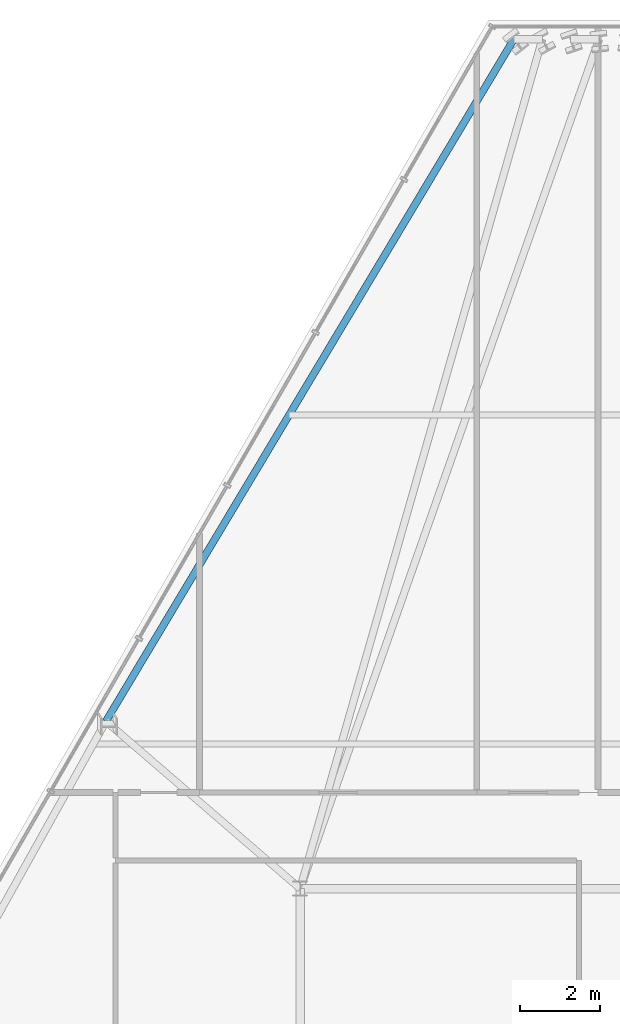
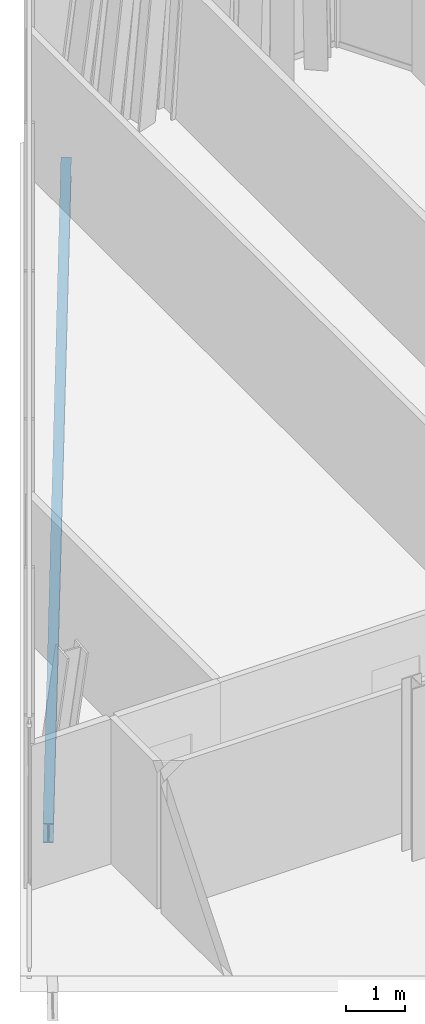
# One storey, part 14 of 32: 1 beam.
"""IFC4 building model written with IfcOpenShell, lengths in metres."""

from ifc_helpers import new_model, si_unit, direction, frame, origin, origin_2d, place, context, subcontext, project, spatial, i_section, extrude, material, material_profile, profile_set, type_object, element, save


model = new_model("IFC4")

# Units and contexts
model_context = context("Model", 3, precision=1e-05, world=origin(), true_north=direction((0.0, 1.0)))
body_context = subcontext(model_context, "Body", "Model", "MODEL_VIEW")
ifc_project = project(units=[si_unit("LENGTHUNIT", "METRE"), si_unit("AREAUNIT", "SQUARE_METRE"), si_unit("VOLUMEUNIT", "CUBIC_METRE"), si_unit("PLANEANGLEUNIT", "RADIAN"), si_unit("MASSUNIT", "GRAM", prefix="KILO")], contexts=[model_context])

# Site, building, storey
site_placement = place(None, origin())
site = spatial("IfcSite", under=ifc_project, at=site_placement, CompositionType="ELEMENT")
building_placement = place(site_placement, origin())
building = spatial("IfcBuilding", under=site, at=building_placement, Name="Ndaravel Arena Tower", CompositionType="ELEMENT")
storey_placement = place(building_placement, frame((0.0, 0.0, 259.800048828125)))
storey = spatial("IfcBuildingStorey", under=building, at=storey_placement, Name="L63", CompositionType="ELEMENT", Elevation=259.800048828125)

# Beam
ifc_material = material(Name="Steel S355", Category="steel")
ifc_material_profile = material_profile(ifc_material, i_section(OverallWidth=0.179931640625, OverallDepth=0.39990234375, WebThickness=0.008544921875, FlangeThickness=0.013427734375, FilletRadius=0.02099609375, at=origin_2d()), Name="IPE 400")
ifc_profile_set = profile_set([ifc_material_profile], Name="Steel S355")
beam_type = type_object("IfcBeamType", Name="BM-SPAN-IPE400", PredefinedType="SPANDREL", material=ifc_profile_set)
beam_placement = place(storey_placement, frame((39.524658203125, 44.359619140625, -0.420166015625), z_axis=(-0.513329186299, -0.858191788876, 0.0), x_axis=(0.858191788876, -0.513329186299, 0.0)))
element("IfcBeam", 1, at=beam_placement, inside=storey, type_object=beam_type, Name="L63 Perimeter Spandrel Beam SP-18", PredefinedType="SPANDREL", context=body_context, shape_type="SweptSolid", body=[
    extrude(i_section(OverallWidth=0.179931640625, OverallDepth=0.39990234375, WebThickness=0.008544921875, FlangeThickness=0.013427734375, FilletRadius=0.02099609375, at=origin_2d()), origin(), (0.0, 0.0, 1.0), 19.79736328125),
])

save(model, "model.ifc")
